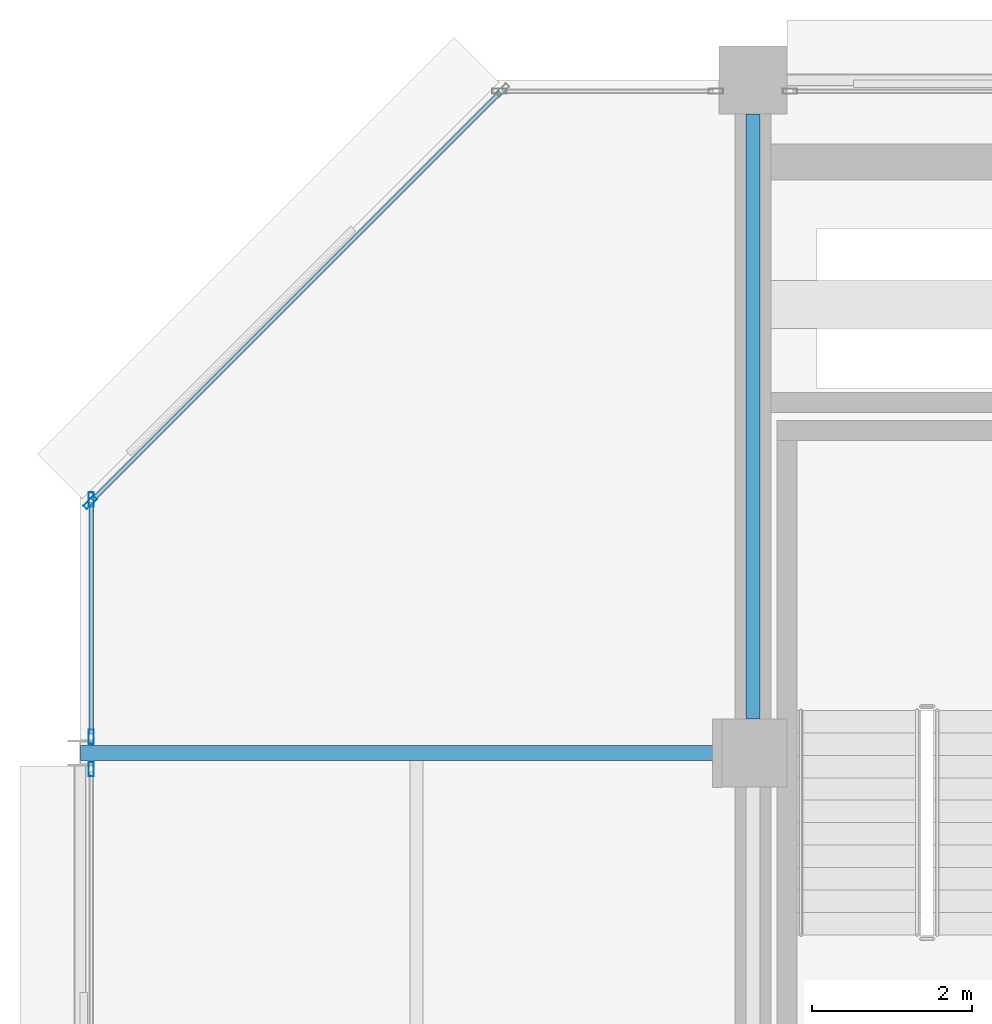
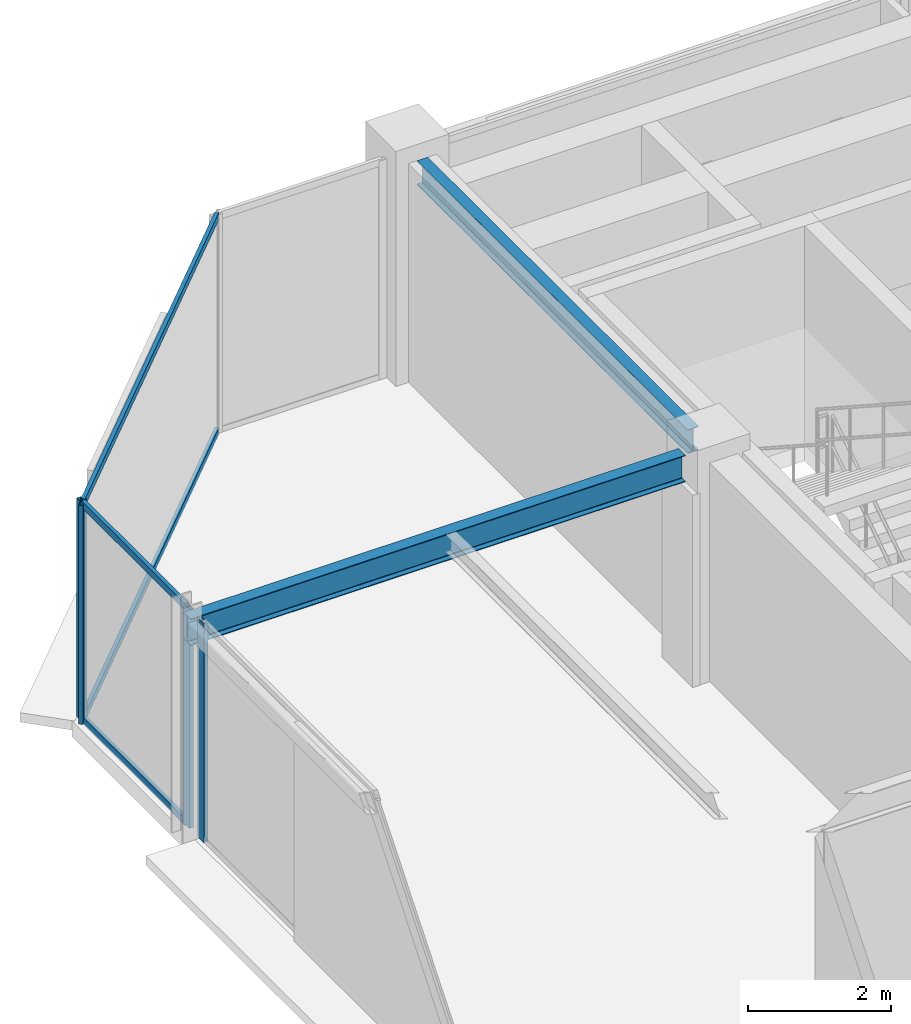
# One storey, part 17 of 27: 8 members, 2 beams, 3 elements without a shape of their own.
"""IFC4 building model written with IfcOpenShell, lengths in metres."""

from ifc_helpers import new_model, si_unit, direction, frame, origin, origin_2d, place, context, subcontext, project, spatial, hollow_rectangle, i_section, extrude, material, layer, layer_set, material_profile, profile_set, type_object, element, aggregate, save


model = new_model("IFC4")

# Units and contexts
model_context = context("Model", 3, precision=1e-05, world=origin(), true_north=direction((0.0, 1.0)))
body_context = subcontext(model_context, "Body", "Model", "MODEL_VIEW")
ifc_project = project(units=[si_unit("LENGTHUNIT", "METRE"), si_unit("AREAUNIT", "SQUARE_METRE"), si_unit("VOLUMEUNIT", "CUBIC_METRE"), si_unit("PLANEANGLEUNIT", "RADIAN"), si_unit("MASSUNIT", "GRAM", prefix="KILO")], contexts=[model_context])

# Site, building, storey
site_placement = place(None, origin())
site = spatial("IfcSite", under=ifc_project, at=site_placement, CompositionType="ELEMENT")
building_placement = place(site_placement, origin())
building = spatial("IfcBuilding", under=site, at=building_placement, Name="Nerrivon Quay Data Exchange", CompositionType="ELEMENT")
storey_placement = place(building_placement, frame((0.0, 0.0, 278.199951171875)))
storey = spatial("IfcBuildingStorey", under=building, at=storey_placement, Name="L66", CompositionType="ELEMENT", Elevation=278.199951171875)

# Beams
ifc_material_1 = material(Name="Steel Grade 350", Category="steel")
ifc_material_profile_1 = material_profile(ifc_material_1, i_section(OverallWidth=0.18994140625, OverallDepth=0.4541015625, WebThickness=0.008544921875, FlangeThickness=0.0126953125, FilletRadius=0.011474609375, at=origin_2d()), Name="460UB67.1")
ifc_profile_set_1 = profile_set([ifc_material_profile_1], Name="Steel Grade 350")
beam_type_1 = type_object("IfcBeamType", Name="BM-G6-460UB67", PredefinedType="BEAM", material=ifc_profile_set_1)
beam_1_placement = place(storey_placement, frame((0.0078125, 33.60009765625, 3.498046875), z_axis=(1.0, 0.0, 0.0), x_axis=(0.0, 1.0, 0.0)))
element("IfcBeam", 1, at=beam_1_placement, inside=storey, type_object=beam_type_1, Name="L66 EW Girder Y=33.6 (0.0..8.4)", PredefinedType="BEAM", context=body_context, shape_type="SweptSolid", body=[
    extrude(i_section(OverallWidth=0.18994140625, OverallDepth=0.4541015625, WebThickness=0.008544921875, FlangeThickness=0.0126953125, FilletRadius=0.011474609375, at=origin_2d()), origin(), (0.0, 0.0, 1.0), 7.96728515625),
])
ifc_material_profile_2 = material_profile(ifc_material_1, i_section(OverallWidth=0.177978515625, OverallDepth=0.406005859375, WebThickness=0.0078125, FlangeThickness=0.0126953125, FilletRadius=0.011474609375, at=origin_2d()), Name="410UB59.7")
ifc_profile_set_2 = profile_set([ifc_material_profile_2], Name="Steel Grade 350")
beam_type_2 = type_object("IfcBeamType", Name="BM-J1-410UB60", PredefinedType="JOIST", material=ifc_profile_set_2)
beam_2_placement = place(storey_placement, frame((8.39990234375, 34.02490234375, 3.52197265625), z_axis=(0.0, 1.0, 0.0), x_axis=(-1.0, 0.0, 0.0)))
element("IfcBeam", 2, at=beam_2_placement, inside=storey, type_object=beam_type_2, Name="L66 NS Girder X=8.4 (33.6..42.0)", PredefinedType="JOIST", context=body_context, shape_type="SweptSolid", body=[
    extrude(i_section(OverallWidth=0.177978515625, OverallDepth=0.406005859375, WebThickness=0.0078125, FlangeThickness=0.0126953125, FilletRadius=0.011474609375, at=origin_2d()), origin(), (0.0, 0.0, 1.0), 7.550048828125),
])

# Curtain wall, member
ifc_material_2 = material(Name="Anodised aluminium 6063-T6", Category="aluminium")
ifc_layer = layer(ifc_material_2, 0.195068359375)
ifc_layer_set = layer_set([ifc_layer], Name="Anodised aluminium 6063-T6")
curtain_wall_type = type_object("IfcCurtainWallType", Name="CW-SYS-06", PredefinedType="NOTDEFINED", material=ifc_layer_set)
curtain_wall_1_placement = place(storey_placement, origin())
curtain_wall_1 = element("IfcCurtainWall", 3, at=curtain_wall_1_placement, inside=storey, type_object=curtain_wall_type, Name="L66 Unitised Curtain Wall 14", PredefinedType="NOTDEFINED")
ifc_material_profile_3 = material_profile(ifc_material_2, hollow_rectangle(XDim=0.06494140625, YDim=0.179931640625, WallThickness=0.00341796875, at=origin_2d()), Name="ALU-MULL-180x65")
ifc_profile_set_3 = profile_set([ifc_material_profile_3], Name="Anodised aluminium 6063-T6")
member_type_1 = type_object("IfcMemberType", Name="CWM-180x65", PredefinedType="MULLION", material=ifc_profile_set_3)
member_1_placement = place(storey_placement, frame((0.139892578125, 33.39892578125, 0.0), z_axis=(0.0, 0.0, 1.0), x_axis=(-1.0, 0.0, 0.0)))
member_1 = element("IfcMember", 4, at=member_1_placement, type_object=member_type_1, Name="CW06 mullion 2", PredefinedType="MULLION", context=body_context, shape_type="SweptSolid", body=[
    extrude(hollow_rectangle(XDim=0.06494140625, YDim=0.179931640625, WallThickness=0.00341796875, at=origin_2d()), origin(), (0.0, 0.0, 1.0), 3.72509765625),
])
aggregate(curtain_wall_1, [member_1])

# Curtain wall, members
curtain_wall_2_placement = place(storey_placement, origin())
curtain_wall_2 = element("IfcCurtainWall", 5, at=curtain_wall_2_placement, inside=storey, type_object=curtain_wall_type, Name="L66 Unitised Curtain Wall 15", PredefinedType="NOTDEFINED")
member_2_placement = place(storey_placement, frame((0.139892578125, 33.801025390625, 0.0), z_axis=(0.0, 0.0, 1.0), x_axis=(-1.0, 0.0, 0.0)))
member_2 = element("IfcMember", 6, at=member_2_placement, type_object=member_type_1, Name="CW06 mullion 1", PredefinedType="MULLION", context=body_context, shape_type="SweptSolid", body=[
    extrude(hollow_rectangle(XDim=0.06494140625, YDim=0.179931640625, WallThickness=0.00341796875, at=origin_2d()), origin(), (0.0, 0.0, 1.0), 3.72509765625),
])
member_3_placement = place(storey_placement, frame((0.139892578125, 36.762451171875, 0.0), z_axis=(0.0, 0.0, 1.0), x_axis=(-1.0, 0.0, 0.0)))
member_3 = element("IfcMember", 7, at=member_3_placement, type_object=member_type_1, Name="CW06 mullion 2", PredefinedType="MULLION", context=body_context, shape_type="SweptSolid", body=[
    extrude(hollow_rectangle(XDim=0.06494140625, YDim=0.179931640625, WallThickness=0.00341796875, at=origin_2d()), origin(), (0.0, 0.0, 1.0), 3.72509765625),
])

# Curtain wall, member
curtain_wall_3_placement = place(storey_placement, origin())
curtain_wall_3 = element("IfcCurtainWall", 8, at=curtain_wall_3_placement, inside=storey, type_object=curtain_wall_type, Name="L66 Unitised Curtain Wall 16", PredefinedType="NOTDEFINED")
member_4_placement = place(storey_placement, frame((0.12548828125, 36.7275390625, 0.0), z_axis=(0.0, 0.0, 1.0), x_axis=(-0.707106781187, 0.707106781187, 0.0)))
member_4 = element("IfcMember", 9, at=member_4_placement, type_object=member_type_1, Name="CW06 mullion 1", PredefinedType="MULLION", context=body_context, shape_type="SweptSolid", body=[
    extrude(hollow_rectangle(XDim=0.06494140625, YDim=0.179931640625, WallThickness=0.00341796875, at=origin_2d()), origin(), (0.0, 0.0, 1.0), 3.72509765625),
])

# Member
ifc_material_profile_4 = material_profile(ifc_material_2, hollow_rectangle(XDim=0.06005859375, YDim=0.1201171875, WallThickness=0.003173828125, at=origin_2d()), Name="ALU-TRAN-120x60")
ifc_profile_set_4 = profile_set([ifc_material_profile_4], Name="Anodised aluminium 6063-T6")
member_type_2 = type_object("IfcMemberType", Name="CWT-120x60", PredefinedType="USERDEFINED", material=ifc_profile_set_4)
member_5_placement = place(storey_placement, frame((0.139892578125, 33.83837890625, 0.032470703125), z_axis=(0.0, 1.0, 0.0), x_axis=(-1.0, 0.0, 0.0)))
member_5 = element("IfcMember", 10, at=member_5_placement, type_object=member_type_2, Name="CW06 transom 1.1", ObjectType="TRANSOM", PredefinedType="USERDEFINED", context=body_context, shape_type="SweptSolid", body=[
    extrude(hollow_rectangle(XDim=0.06005859375, YDim=0.1201171875, WallThickness=0.003173828125, at=origin_2d()), origin(), (0.0, 0.0, 1.0), 2.88671875),
])

member_6_placement = place(storey_placement, frame((0.139892578125, 33.83837890625, 3.692626953125), z_axis=(0.0, 1.0, 0.0), x_axis=(-1.0, 0.0, 0.0)))
member_6 = element("IfcMember", 11, at=member_6_placement, type_object=member_type_2, Name="CW06 transom 1.2", ObjectType="TRANSOM", PredefinedType="USERDEFINED", context=body_context, shape_type="SweptSolid", body=[
    extrude(hollow_rectangle(XDim=0.06005859375, YDim=0.1201171875, WallThickness=0.003173828125, at=origin_2d()), origin(), (0.0, 0.0, 1.0), 2.88671875),
])

aggregate(curtain_wall_2, [member_2, member_3, member_5, member_6])

member_7_placement = place(storey_placement, frame((0.152099609375, 36.754150390625, 0.032470703125), z_axis=(0.707106781187, 0.707106781187, 0.0), x_axis=(-0.707106781187, 0.707106781187, 0.0)))
member_7 = element("IfcMember", 12, at=member_7_placement, type_object=member_type_2, Name="CW06 transom 1.1", ObjectType="TRANSOM", PredefinedType="USERDEFINED", context=body_context, shape_type="SweptSolid", body=[
    extrude(hollow_rectangle(XDim=0.06005859375, YDim=0.1201171875, WallThickness=0.003173828125, at=origin_2d()), origin(), (0.0, 0.0, 1.0), 7.20361328125),
])

member_8_placement = place(storey_placement, frame((0.152099609375, 36.754150390625, 3.692626953125), z_axis=(0.707106781187, 0.707106781187, 0.0), x_axis=(-0.707106781187, 0.707106781187, 0.0)))
member_8 = element("IfcMember", 13, at=member_8_placement, type_object=member_type_2, Name="CW06 transom 1.2", ObjectType="TRANSOM", PredefinedType="USERDEFINED", context=body_context, shape_type="SweptSolid", body=[
    extrude(hollow_rectangle(XDim=0.06005859375, YDim=0.1201171875, WallThickness=0.003173828125, at=origin_2d()), origin(), (0.0, 0.0, 1.0), 7.20361328125),
])

aggregate(curtain_wall_3, [member_4, member_7, member_8])

save(model, "model.ifc")
